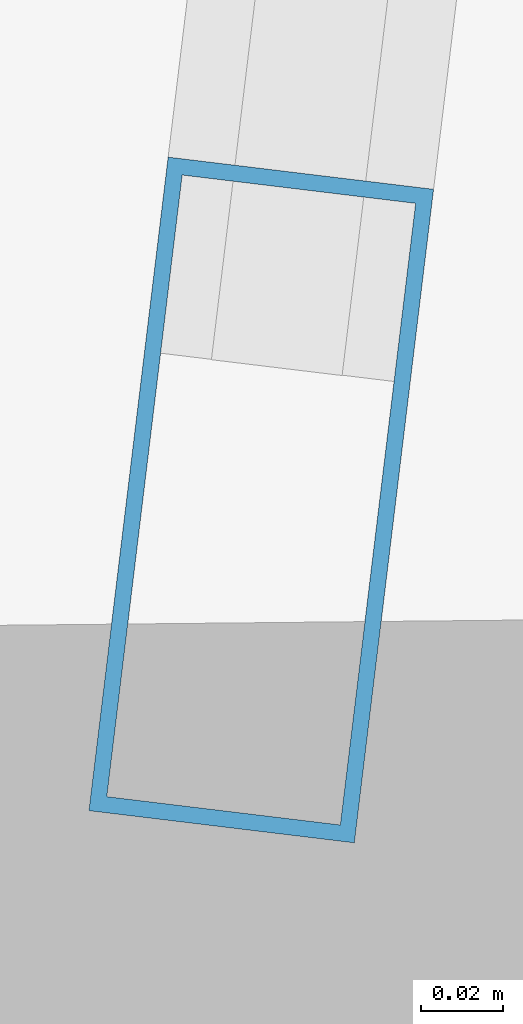
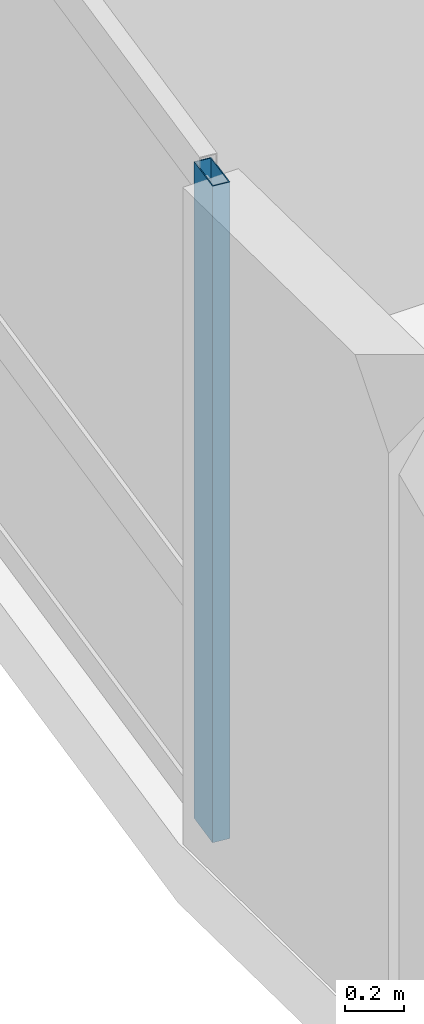
# One storey, part 2 of 26: 1 member, 1 element without a shape of its own.
"""IFC4 building model written with IfcOpenShell, lengths in metres."""

import ifcopenshell
import ifcopenshell.guid

model = None  # the IFC model being written
_history = None  # IfcOwnerHistory: only IFC2X3 demands one
_inside = {}  # id of a spatial element -> (the spatial element, [elements in it])
_under = {}  # id of a project, library or spatial element -> (it, [spatial elements below it])
_declared = {}  # id of a project -> (the project, [libraries it declares])
_typed = {}  # id of a type object -> (the type object, [elements of that type])
_made_of = {}  # id of a material, layer set ... -> (it, [elements and type objects made of it])


def new_model(schema):
    """Start an empty IFC model of exactly this schema.

    Asked for "IFC4X3", IfcOpenShell would pick the latest addendum, in which some entities
    have other attributes; the version numbers below select the first issue.
    IFC2X3 requires an IfcOwnerHistory on every rooted entity: one is made here for all.
    """
    global model, _history
    if schema == "IFC4X3":
        model = ifcopenshell.file(schema_version=(4, 3, 0, 0))
    else:
        model = ifcopenshell.file(schema=schema)
    _inside.clear()
    _under.clear()
    _declared.clear()
    _typed.clear()
    _made_of.clear()
    _history = None
    if model.schema == "IFC2X3":
        org = make("IfcOrganization", Name="unknown")
        user = make(
            "IfcPersonAndOrganization",
            ThePerson=make("IfcPerson", FamilyName="unknown"),
            TheOrganization=org,
        )
        app = make(
            "IfcApplication",
            ApplicationDeveloper=org,
            Version="unknown",
            ApplicationFullName="unknown",
            ApplicationIdentifier="unknown",
        )
        _history = make(
            "IfcOwnerHistory",
            OwningUser=user,
            OwningApplication=app,
            ChangeAction="ADDED",
            CreationDate=0,
        )
    return model


def make(cls, **values):
    """One entity of the class cls with the attributes given. An attribute that is None is left unset."""
    return model.create_entity(
        cls, **{name: value for name, value in values.items() if value is not None}
    )


def rooted(cls, **values):
    """An entity with a GlobalId (a new one), such as an element, a storey or a relation."""
    return make(cls, GlobalId=ifcopenshell.guid.new(), OwnerHistory=_history, **values)


def si_unit(unit_type, name, prefix=None):
    """IfcSIUnit, for example si_unit("LENGTHUNIT", "METRE", prefix="MILLI")."""
    return make("IfcSIUnit", UnitType=unit_type, Prefix=prefix, Name=name)


def assignment(units):
    """IfcUnitAssignment: the units of a project."""
    return None if units is None else make("IfcUnitAssignment", Units=units)


def point(xyz):
    """IfcCartesianPoint."""
    return None if xyz is None else make("IfcCartesianPoint", Coordinates=xyz)


def direction(xyz):
    """IfcDirection."""
    return None if xyz is None else make("IfcDirection", DirectionRatios=xyz)


def frame(location, z_axis=None, x_axis=None):
    """IfcAxis2Placement3D, a coordinate frame: its origin and axes. An axis left out is left unset."""
    return make(
        "IfcAxis2Placement3D",
        Location=point(location),
        Axis=direction(z_axis),
        RefDirection=direction(x_axis),
    )


def frame_2d(location, x_axis=None):
    """IfcAxis2Placement2D, a coordinate frame in the plane: its origin and x axis."""
    return make(
        "IfcAxis2Placement2D", Location=point(location), RefDirection=direction(x_axis)
    )


def origin():
    """The frame at (0, 0, 0) with its axes left unset."""
    return frame((0.0, 0.0, 0.0))


def origin_2d():
    """The frame at (0, 0) in the plane with its x axis left unset."""
    return frame_2d((0.0, 0.0))


def place(relative_to, where):
    """IfcLocalPlacement: puts the frame where relative to a parent placement (None: the world)."""
    return make(
        "IfcLocalPlacement", PlacementRelTo=relative_to, RelativePlacement=where
    )


def context(
    kind, dimensions, precision=None, world=None, true_north=None, identifier=None
):
    """IfcGeometricRepresentationContext, for example the 3D "Model" context."""
    return make(
        "IfcGeometricRepresentationContext",
        ContextIdentifier=identifier,
        ContextType=kind,
        CoordinateSpaceDimension=dimensions,
        Precision=precision,
        WorldCoordinateSystem=world,
        TrueNorth=true_north,
    )


def subcontext(parent, identifier, kind, view, scale=None):
    """IfcGeometricRepresentationSubContext, for example "Body" below "Model"."""
    return make(
        "IfcGeometricRepresentationSubContext",
        ContextIdentifier=identifier,
        ContextType=kind,
        ParentContext=parent,
        TargetScale=scale,
        TargetView=view,
    )


def project(units=None, contexts=None):
    """IfcProject with its units and contexts."""
    return rooted(
        "IfcProject",
        Name="project",
        RepresentationContexts=contexts,
        UnitsInContext=assignment(units),
    )


def spatial(cls, under=None, at=None, **own):
    """A site, building, storey or space (cls), placed at a placement, below another one or the project."""
    s = rooted(cls, ObjectPlacement=at, **own)
    if under is not None:
        _under.setdefault(under.id(), (under, []))[1].append(s)
    return s


def profile(cls, at=None, kind="AREA", **sizes):
    """A parametric profile (cls). Its sizes go by their IFC names, for example OverallWidth=200.0."""
    return make(cls, ProfileType=kind, Position=at, **sizes)


def hollow_rectangle(**sizes):
    """IfcRectangleHollowProfileDef."""
    return profile("IfcRectangleHollowProfileDef", **sizes)


def extrude(swept, where, along, depth):
    """IfcExtrudedAreaSolid: the profile swept, set in the frame where, extruded along a direction by depth."""
    return make(
        "IfcExtrudedAreaSolid",
        SweptArea=swept,
        Position=where,
        ExtrudedDirection=direction(along),
        Depth=depth,
    )


def shape(context_of_items, identifier, shape_type, items):
    """IfcShapeRepresentation: the items that make up one representation, for example the "Body"."""
    return make(
        "IfcShapeRepresentation",
        ContextOfItems=context_of_items,
        RepresentationIdentifier=identifier,
        RepresentationType=shape_type,
        Items=items,
    )


def material(Name=None, Category=None):
    """IfcMaterial."""
    return make("IfcMaterial", Name=Name, Category=Category)


def layer(
    of_material, thickness, ventilated=None, Name=None, Category=None, Priority=None
):
    """IfcMaterialLayer: one layer of a wall or slab, of a material (None: an air gap)."""
    return make(
        "IfcMaterialLayer",
        Material=of_material,
        LayerThickness=thickness,
        IsVentilated=ventilated,
        Name=Name,
        Category=Category,
        Priority=Priority,
    )


def layer_set(layers, Name=None):
    """IfcMaterialLayerSet."""
    return make("IfcMaterialLayerSet", MaterialLayers=layers, LayerSetName=Name)


def material_profile(
    of_material, cross_section, Name=None, Category=None, Priority=None
):
    """IfcMaterialProfile: a cross section and its material."""
    return make(
        "IfcMaterialProfile",
        Name=Name,
        Material=of_material,
        Profile=cross_section,
        Priority=Priority,
        Category=Category,
    )


def profile_set(profiles, Name=None, composite=None):
    """IfcMaterialProfileSet."""
    return make(
        "IfcMaterialProfileSet",
        Name=Name,
        MaterialProfiles=profiles,
        CompositeProfile=composite,
    )


def made_of(thing, what):
    """Note that an element or type object is made of a material, layer set ...; save() writes the relation."""
    if what is not None:
        _made_of.setdefault(what.id(), (what, []))[1].append(thing)
    return thing


def type_object(cls, material=None, **own):
    """A type object (cls), such as IfcWallType, which elements share."""
    return made_of(rooted(cls, **own), material)


def element(
    cls,
    number,
    at=None,
    inside=None,
    cuts=None,
    type_object=None,
    material=None,
    context=None,
    identifier="Body",
    shape_type=None,
    held_by="IfcProductDefinitionShape",
    body=None,
    shapes=None,
    **own,
):
    """One element of the class cls, such as IfcWall. Its Tag is "e" and its number.

    at: its placement. inside: the storey or other place that contains it. cuts: it is an
    opening in that element (IfcRelVoidsElement). A single representation is given by context,
    identifier, shape_type and body (its items); several are given by shapes. held_by: the class
    of the entity that holds the representations. save() writes the other relations.
    """
    e = rooted(cls, Tag="e%d" % number, ObjectPlacement=at, **own)
    if body is not None:
        shapes = [shape(context, identifier, shape_type, body)]
    if shapes is not None:
        e.Representation = make(held_by, Representations=shapes)
    if inside is not None:
        _inside.setdefault(inside.id(), (inside, []))[1].append(e)
    if cuts is not None:
        rooted(
            "IfcRelVoidsElement", RelatingBuildingElement=cuts, RelatedOpeningElement=e
        )
    if type_object is not None:
        _typed.setdefault(type_object.id(), (type_object, []))[1].append(e)
    return made_of(e, material)


def aggregate(whole, parts):
    """IfcRelAggregates: a whole, such as a stair, and the parts it consists of."""
    return rooted("IfcRelAggregates", RelatingObject=whole, RelatedObjects=parts)


def save(model, path):
    """Write the relations noted so far, then the file.

    IfcRelAggregates (storeys below a building ...), IfcRelContainedInSpatialStructure (elements
    in a storey), IfcRelDefinesByType, IfcRelAssociatesMaterial and IfcRelDeclares: one each for
    every whole, place, type object, material and project.
    """
    for whole, parts in _under.values():
        aggregate(whole, parts)
    for where, things in _inside.values():
        rooted(
            "IfcRelContainedInSpatialStructure",
            RelatedElements=things,
            RelatingStructure=where,
        )
    for kind, things in _typed.values():
        rooted("IfcRelDefinesByType", RelatedObjects=things, RelatingType=kind)
    for what, things in _made_of.values():
        rooted("IfcRelAssociatesMaterial", RelatedObjects=things, RelatingMaterial=what)
    for by, libraries in _declared.values():
        rooted("IfcRelDeclares", RelatingContext=by, RelatedDefinitions=libraries)
    model.write(path)


model = new_model("IFC4")

# Units and contexts
model_context = context("Model", 3, precision=1e-05, world=origin(), true_north=direction((0.0, 1.0)))
body_context = subcontext(model_context, "Body", "Model", "MODEL_VIEW")
ifc_project = project(units=[si_unit("LENGTHUNIT", "METRE"), si_unit("AREAUNIT", "SQUARE_METRE"), si_unit("VOLUMEUNIT", "CUBIC_METRE"), si_unit("PLANEANGLEUNIT", "RADIAN"), si_unit("MASSUNIT", "GRAM", prefix="KILO")], contexts=[model_context])

# Site, building, storey
site_placement = place(None, origin())
site = spatial("IfcSite", under=ifc_project, at=site_placement, CompositionType="ELEMENT")
building_placement = place(site_placement, origin())
building = spatial("IfcBuilding", under=site, at=building_placement, Name="Varnelok Gate Tower", CompositionType="ELEMENT")
storey_placement = place(building_placement, frame((0.0, 0.0, 155.0)))
storey = spatial("IfcBuildingStorey", under=building, at=storey_placement, Name="L39", CompositionType="ELEMENT", Elevation=155.0)

# Curtain wall, member
ifc_material = material(Name="Anodized Aluminum Alloy 6063-T6", Category="aluminium")
ifc_layer = layer(ifc_material, 0.179931640625)
ifc_layer_set = layer_set([ifc_layer], Name="Anodized Aluminum Alloy 6063-T6")
curtain_wall_type = type_object("IfcCurtainWallType", Name="CW3-HOTEL-VISION", PredefinedType="USERDEFINED", material=ifc_layer_set)
curtain_wall_placement = place(storey_placement, origin())
curtain_wall = element("IfcCurtainWall", 1, at=curtain_wall_placement, inside=storey, type_object=curtain_wall_type, Name="L39 West End Vision Curtain Wall", ObjectType="UNITISED CURTAIN WALL", PredefinedType="USERDEFINED")
ifc_material_profile = material_profile(ifc_material, hollow_rectangle(XDim=0.06494140625, YDim=0.159912109375, WallThickness=0.00390625, at=origin_2d()), Name="ALU160X65X4")
ifc_profile_set = profile_set([ifc_material_profile], Name="Anodized Aluminum Alloy 6063-T6")
member_type = type_object("IfcMemberType", Name="CW-MULL-160", PredefinedType="MULLION", material=ifc_profile_set)
member_placement = place(storey_placement, frame((0.2470703125, 11.923095703125, 0.0), z_axis=(0.0, 0.0, 1.0), x_axis=(-0.99273188146, 0.120347046212, 0.0)))
member = element("IfcMember", 2, at=member_placement, type_object=member_type, Name="CW3 mullion 1", PredefinedType="MULLION", context=body_context, shape_type="SweptSolid", body=[
    extrude(hollow_rectangle(XDim=0.06494140625, YDim=0.159912109375, WallThickness=0.00390625, at=origin_2d()), origin(), (0.0, 0.0, 1.0), 2.72998046875),
])
aggregate(curtain_wall, [member])

save(model, "model.ifc")
